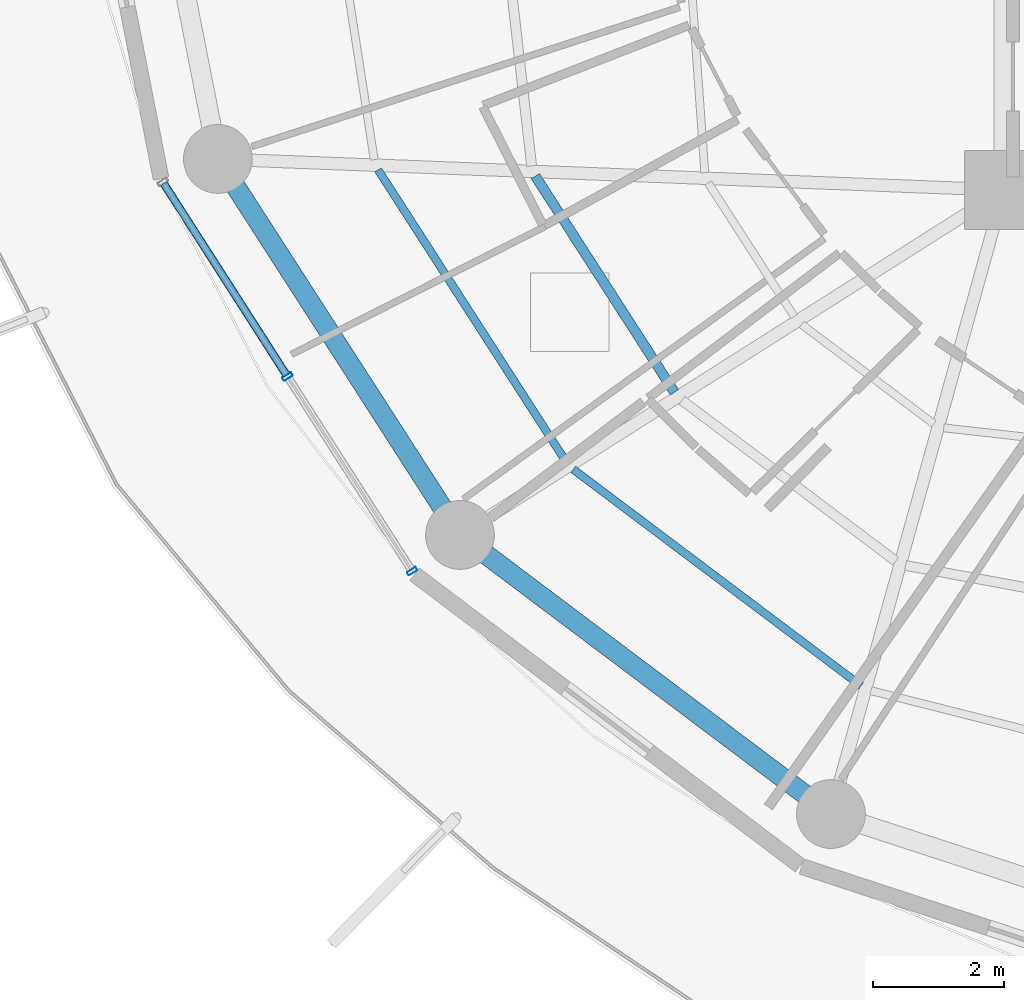
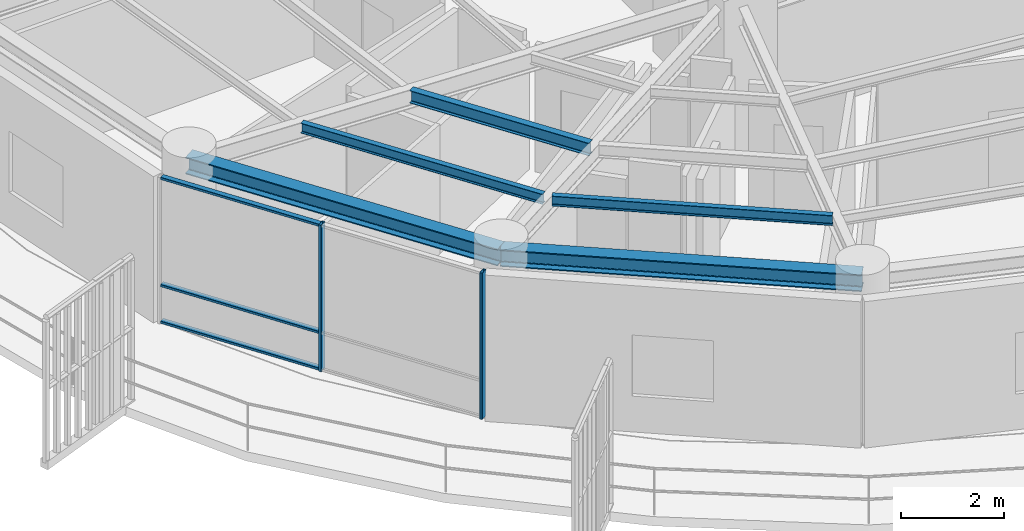
# One storey, part 2 of 30: 5 beams, 5 members, 1 element without a shape of its own.
"""IFC4 building model written with IfcOpenShell, lengths in metres."""

from ifc_helpers import new_model, si_unit, direction, frame, origin, origin_2d, place, context, subcontext, project, spatial, hollow_rectangle, i_section, extrude, material, layer, layer_set, material_profile, profile_set, type_object, element, aggregate, save


model = new_model("IFC4")

# Units and contexts
model_context = context("Model", 3, precision=1e-05, world=origin(), true_north=direction((0.0, 1.0)))
body_context = subcontext(model_context, "Body", "Model", "MODEL_VIEW")
ifc_project = project(units=[si_unit("LENGTHUNIT", "METRE"), si_unit("AREAUNIT", "SQUARE_METRE"), si_unit("VOLUMEUNIT", "CUBIC_METRE"), si_unit("PLANEANGLEUNIT", "RADIAN"), si_unit("MASSUNIT", "GRAM", prefix="KILO")], contexts=[model_context])

# Site, building, storey
site_placement = place(None, origin())
site = spatial("IfcSite", under=ifc_project, at=site_placement, CompositionType="ELEMENT")
building_placement = place(site_placement, origin())
building = spatial("IfcBuilding", under=site, at=building_placement, Name="Kelanora Arch Commons", CompositionType="ELEMENT")
storey_placement = place(building_placement, frame((0.0, 0.0, 208.199951171875)))
storey = spatial("IfcBuildingStorey", under=building, at=storey_placement, Name="L53", CompositionType="ELEMENT", Elevation=208.199951171875)

# Beams
ifc_material_1 = material(Name="Steel S355", Category="steel")
ifc_material_profile_1 = material_profile(ifc_material_1, i_section(OverallWidth=0.14990234375, OverallDepth=0.300048828125, WebThickness=0.007080078125, FlangeThickness=0.0107421875, FilletRadius=0.014892578125, at=origin_2d()), Name="IPE300")
ifc_profile_set_1 = profile_set([ifc_material_profile_1], Name="Steel S355")
beam_type_1 = type_object("IfcBeamType", Name="BM-JST-01", PredefinedType="JOIST", material=ifc_profile_set_1)
beam_1_placement = place(storey_placement, frame((58.847900390625, 51.213134765625, 3.340087890625), z_axis=(0.541411265892, -0.840757896879, 0.0), x_axis=(0.840757896879, 0.541411265892, 0.0)))
element("IfcBeam", 1, at=beam_1_placement, inside=storey, type_object=beam_type_1, Name="Secondary Chord Joist BJB-20 L53", PredefinedType="JOIST", context=body_context, shape_type="SweptSolid", body=[
    extrude(i_section(OverallWidth=0.14990234375, OverallDepth=0.300048828125, WebThickness=0.007080078125, FlangeThickness=0.0107421875, FilletRadius=0.014892578125, at=origin_2d()), origin(), (0.0, 0.0, 1.0), 3.92529296875),
])
ifc_material_profile_2 = material_profile(ifc_material_1, i_section(OverallWidth=0.1201171875, OverallDepth=0.239990234375, WebThickness=0.006103515625, FlangeThickness=0.009765625, FilletRadius=0.014892578125, at=origin_2d()), Name="IPE240")
ifc_profile_set_2 = profile_set([ifc_material_profile_2], Name="Steel S355")
beam_type_2 = type_object("IfcBeamType", Name="BM-JST-02", PredefinedType="JOIST", material=ifc_profile_set_2)
beam_2_placement = place(storey_placement, frame((56.44873046875, 51.30810546875, 3.3701171875), z_axis=(0.541382492679, -0.840776424872, 0.0), x_axis=(0.840776424872, 0.541382492679, 0.0)))
element("IfcBeam", 2, at=beam_2_placement, inside=storey, type_object=beam_type_2, Name="Secondary Chord Joist BJC-20 L53", PredefinedType="JOIST", context=body_context, shape_type="SweptSolid", body=[
    extrude(i_section(OverallWidth=0.1201171875, OverallDepth=0.239990234375, WebThickness=0.006103515625, FlangeThickness=0.009765625, FilletRadius=0.014892578125, at=origin_2d()), origin(), (0.0, 0.0, 1.0), 5.29052734375),
])
beam_3_placement = place(storey_placement, frame((59.4267578125, 46.7373046875, 3.3701171875), z_axis=(0.799109197935, -0.601185902842, 0.0), x_axis=(0.601185902842, 0.799109197935, 0.0)))
element("IfcBeam", 3, at=beam_3_placement, inside=storey, type_object=beam_type_2, Name="Secondary Chord Joist BJC-22 L53", PredefinedType="JOIST", context=body_context, shape_type="SweptSolid", body=[
    extrude(i_section(OverallWidth=0.1201171875, OverallDepth=0.239990234375, WebThickness=0.006103515625, FlangeThickness=0.009765625, FilletRadius=0.014892578125, at=origin_2d()), origin(), (0.0, 0.0, 1.0), 5.497802734375),
])
ifc_material_profile_3 = material_profile(ifc_material_1, i_section(OverallWidth=0.300048828125, OverallDepth=0.39990234375, WebThickness=0.013427734375, FlangeThickness=0.02392578125, FilletRadius=0.027099609375, at=origin_2d()), Name="HEB400")
ifc_profile_set_3 = profile_set([ifc_material_profile_3], Name="Steel S355")
beam_type_3 = type_object("IfcBeamType", Name="BM-SPN-Z4", PredefinedType="SPANDREL", material=ifc_profile_set_3)
beam_4_placement = place(storey_placement, frame((54.00341796875, 51.474365234375, 3.2900390625), z_axis=(0.541364878868, -0.840787766281, 0.0), x_axis=(0.840787766281, 0.541364878868, 0.0)))
element("IfcBeam", 4, at=beam_4_placement, inside=storey, type_object=beam_type_3, Name="Perimeter Spandrel Beam BS-20 L53", PredefinedType="SPANDREL", context=body_context, shape_type="SweptSolid", body=[
    extrude(i_section(OverallWidth=0.300048828125, OverallDepth=0.39990234375, WebThickness=0.013427734375, FlangeThickness=0.02392578125, FilletRadius=0.027099609375, at=origin_2d()), origin(), (0.0, 0.0, 1.0), 6.825439453125),
])
beam_5_placement = place(storey_placement, frame((57.698486328125, 45.735595703125, 3.2900390625), z_axis=(0.799114211715, -0.60117923836, 0.0), x_axis=(0.60117923836, 0.799114211715, 0.0)))
element("IfcBeam", 5, at=beam_5_placement, inside=storey, type_object=beam_type_3, Name="Perimeter Spandrel Beam BS-22 L53", PredefinedType="SPANDREL", context=body_context, shape_type="SweptSolid", body=[
    extrude(i_section(OverallWidth=0.300048828125, OverallDepth=0.39990234375, WebThickness=0.013427734375, FlangeThickness=0.02392578125, FilletRadius=0.027099609375, at=origin_2d()), origin(), (0.0, 0.0, 1.0), 7.0849609375),
])

# Curtain wall, members
ifc_material_2 = material(Name="Terracotta ceramic-fritted low-E glass and aluminium", Category="masonry")
ifc_layer = layer(ifc_material_2, 0.175048828125)
ifc_layer_set = layer_set([ifc_layer], Name="Terracotta ceramic-fritted low-E glass and aluminium")
curtain_wall_type = type_object("IfcCurtainWallType", Name="CW-SYS-02", PredefinedType="NOTDEFINED", material=ifc_layer_set)
curtain_wall_placement = place(storey_placement, origin())
curtain_wall = element("IfcCurtainWall", 6, at=curtain_wall_placement, inside=storey, type_object=curtain_wall_type, Name="Unitised Curtain Wall L53-B10", PredefinedType="NOTDEFINED")
ifc_material_3 = material(Name="Powder-coated aluminium terracotta", Category="masonry")
ifc_material_profile_4 = material_profile(ifc_material_3, hollow_rectangle(XDim=0.159912109375, YDim=0.06005859375, WallThickness=0.0048828125, InnerFilletRadius=0.0048828125, OuterFilletRadius=0.010009765625, at=origin_2d()), Name="CWM160x60")
ifc_profile_set_4 = profile_set([ifc_material_profile_4], Name="Powder-coated aluminium terracotta")
member_type_1 = type_object("IfcMemberType", Name="CWM-STD", PredefinedType="MULLION", material=ifc_profile_set_4)
member_1_placement = place(storey_placement, frame((55.06640625, 48.15185546875, 0.0), z_axis=(0.0, 0.0, 1.0), x_axis=(0.84194757539, 0.539559338994, 0.0)))
member_1 = element("IfcMember", 7, at=member_1_placement, type_object=member_type_1, Name="CW-02 mullion 2", PredefinedType="MULLION", context=body_context, shape_type="SweptSolid", body=[
    extrude(hollow_rectangle(XDim=0.159912109375, YDim=0.06005859375, WallThickness=0.0048828125, InnerFilletRadius=0.0048828125, OuterFilletRadius=0.010009765625, at=origin_2d()), origin(), (0.0, 0.0, 1.0), 3.47509765625),
])
member_2_placement = place(storey_placement, frame((56.969482421875, 45.18212890625, 0.0), z_axis=(0.0, 0.0, 1.0), x_axis=(0.84194757539, 0.539559338994, 0.0)))
member_2 = element("IfcMember", 8, at=member_2_placement, type_object=member_type_1, Name="CW-02 mullion 3", PredefinedType="MULLION", context=body_context, shape_type="SweptSolid", body=[
    extrude(hollow_rectangle(XDim=0.159912109375, YDim=0.06005859375, WallThickness=0.0048828125, InnerFilletRadius=0.0048828125, OuterFilletRadius=0.010009765625, at=origin_2d()), origin(), (0.0, 0.0, 1.0), 3.47509765625),
])
ifc_material_profile_5 = material_profile(ifc_material_3, hollow_rectangle(XDim=0.1201171875, YDim=0.06005859375, WallThickness=0.0048828125, InnerFilletRadius=0.0048828125, OuterFilletRadius=0.010009765625, at=origin_2d()), Name="CWT120x60")
ifc_profile_set_5 = profile_set([ifc_material_profile_5], Name="Powder-coated aluminium terracotta")
member_type_2 = type_object("IfcMemberType", Name="CWT-STD", PredefinedType="USERDEFINED", material=ifc_profile_set_5)
member_3_placement = place(storey_placement, frame((53.17919921875, 51.096435546875, 0.030029296875), z_axis=(0.539579095642, -0.84193491408, 0.0), x_axis=(0.84193491408, 0.539579095642, 0.0)))
member_3 = element("IfcMember", 9, at=member_3_placement, type_object=member_type_2, Name="CW-02 transom 1.1", ObjectType="TRANSOM", PredefinedType="USERDEFINED", context=body_context, shape_type="SweptSolid", body=[
    extrude(hollow_rectangle(XDim=0.1201171875, YDim=0.06005859375, WallThickness=0.0048828125, InnerFilletRadius=0.0048828125, OuterFilletRadius=0.010009765625, at=origin_2d()), origin(), (0.0, 0.0, 1.0), 3.46728515625),
])
member_4_placement = place(storey_placement, frame((53.17919921875, 51.096435546875, 0.900146484375), z_axis=(0.539579095642, -0.84193491408, 0.0), x_axis=(0.84193491408, 0.539579095642, 0.0)))
member_4 = element("IfcMember", 10, at=member_4_placement, type_object=member_type_2, Name="CW-02 transom 1.2", ObjectType="TRANSOM", PredefinedType="USERDEFINED", context=body_context, shape_type="SweptSolid", body=[
    extrude(hollow_rectangle(XDim=0.1201171875, YDim=0.06005859375, WallThickness=0.0048828125, InnerFilletRadius=0.0048828125, OuterFilletRadius=0.010009765625, at=origin_2d()), origin(), (0.0, 0.0, 1.0), 3.46728515625),
])
member_5_placement = place(storey_placement, frame((53.17919921875, 51.096435546875, 3.445068359375), z_axis=(0.539579095642, -0.84193491408, 0.0), x_axis=(0.84193491408, 0.539579095642, 0.0)))
member_5 = element("IfcMember", 11, at=member_5_placement, type_object=member_type_2, Name="CW-02 transom 1.3", ObjectType="TRANSOM", PredefinedType="USERDEFINED", context=body_context, shape_type="SweptSolid", body=[
    extrude(hollow_rectangle(XDim=0.1201171875, YDim=0.06005859375, WallThickness=0.0048828125, InnerFilletRadius=0.0048828125, OuterFilletRadius=0.010009765625, at=origin_2d()), origin(), (0.0, 0.0, 1.0), 3.46728515625),
])
aggregate(curtain_wall, [member_1, member_2, member_3, member_4, member_5])

save(model, "model.ifc")
